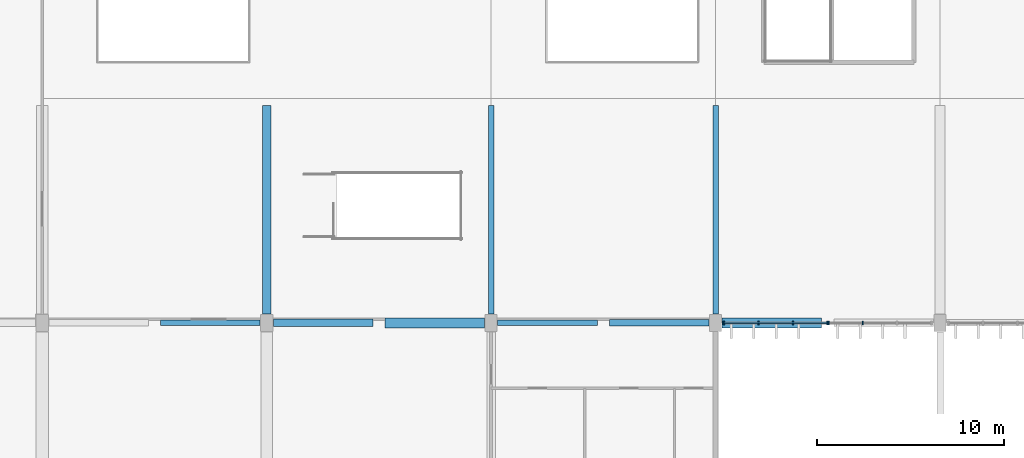
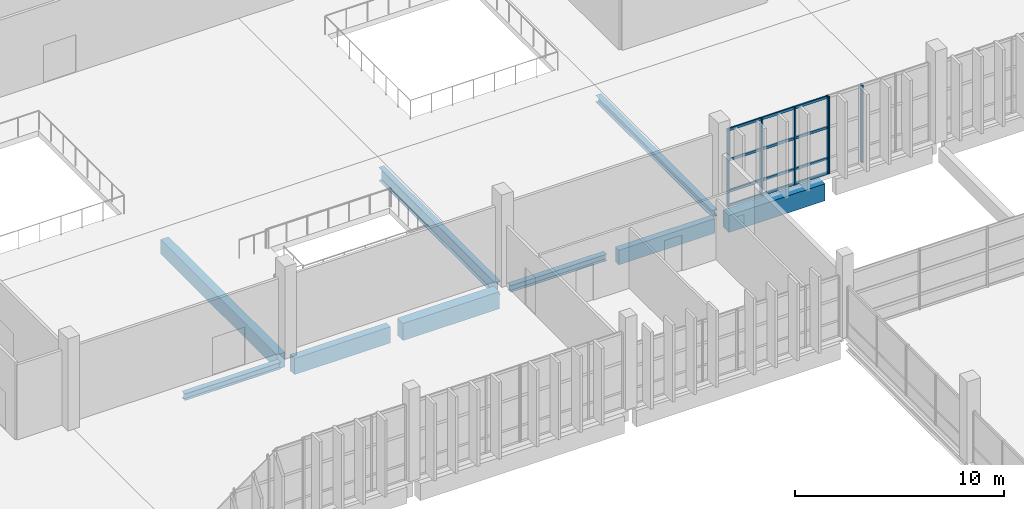
# One storey, part 47 of 112: 10 members, 9 beams, 2 elements without a shape of their own.
"""IFC4 building model written with IfcOpenShell, lengths in metres."""

from ifc_helpers import new_model, si_unit, direction, frame, origin, origin_2d, place, context, subcontext, project, spatial, rectangle, i_section, extrude, material, material_profile, profile_set, type_object, element, aggregate, save


model = new_model("IFC4")

# Units and contexts
model_context = context("Model", 3, precision=1e-05, world=origin(), true_north=direction((0.0, 1.0)))
body_context = subcontext(model_context, "Body", "Model", "MODEL_VIEW")
ifc_project = project(units=[si_unit("LENGTHUNIT", "METRE"), si_unit("AREAUNIT", "SQUARE_METRE"), si_unit("VOLUMEUNIT", "CUBIC_METRE"), si_unit("PLANEANGLEUNIT", "RADIAN"), si_unit("MASSUNIT", "GRAM", prefix="KILO")], contexts=[model_context])

# Site, building, storey
site_placement = place(None, origin())
site = spatial("IfcSite", under=ifc_project, at=site_placement, CompositionType="ELEMENT")
building_placement = place(site_placement, origin())
building = spatial("IfcBuilding", under=site, at=building_placement, Name="Kamomehara Wholesale Market", CompositionType="ELEMENT")
storey_placement = place(building_placement, frame((0.0, 0.0, 6.60009765625)))
storey = spatial("IfcBuildingStorey", under=building, at=storey_placement, Name="L01", CompositionType="ELEMENT", Elevation=6.60009765625)

# Beams
ifc_material_1 = material(Name="Precast concrete Fc45 (C40/50)", Category="concrete")
ifc_material_profile_1 = material_profile(ifc_material_1, rectangle(XDim=0.449951171875, YDim=0.85009765625, at=origin_2d()), Name="PC-GRD-450x850")
ifc_profile_set_1 = profile_set([ifc_material_profile_1], Name="Precast concrete Fc45 (C40/50)")
beam_type_1 = type_object("IfcBeamType", Name="BM-PG850", PredefinedType="T_BEAM", material=ifc_profile_set_1)
beam_1_placement = place(storey_placement, frame((132.0, 108.47509765625, -0.76708984375), z_axis=(0.0, 1.0, 0.0), x_axis=(-1.0, 0.0, 0.0)))
element("IfcBeam", 1, at=beam_1_placement, inside=storey, type_object=beam_type_1, Name="Beam PG-11 L01", PredefinedType="T_BEAM", context=body_context, shape_type="SweptSolid", body=[
    extrude(rectangle(XDim=0.449951171875, YDim=0.85009765625, at=origin_2d()), origin(), (0.0, 0.0, 1.0), 11.14990234375),
])
ifc_material_2 = material(Name="Concrete Fc36 (C35/45)", Category="concrete")
ifc_material_profile_2 = material_profile(ifc_material_2, rectangle(XDim=0.550048828125, YDim=1.0, at=origin_2d()), Name="RC-SEB-550x1000")
ifc_profile_set_2 = profile_set([ifc_material_profile_2], Name="Concrete Fc36 (C35/45)")
beam_type_2 = type_object("IfcBeamType", Name="BM-SEB1000-EXT", PredefinedType="SPANDREL", material=ifc_profile_set_2)
for number, where, z_axis, x_axis, name in (
    (2, (138.324951171875, 108.0, -0.842041015625), (1.0, 0.0, 0.0), (0.0, 1.0, 0.0), "Beam SEB-03E L01"),
    (3, (156.35009765625, 108.0, -0.83203125), (1.0, 0.0, 0.0), (0.0, 1.0, 0.0), "Beam SEB-03E L01"),
):
    element("IfcBeam", number, at=place(storey_placement, frame(where, z_axis=z_axis, x_axis=x_axis)), inside=storey, type_object=beam_type_2, Name=name, PredefinedType="SPANDREL", context=body_context, shape_type="SweptSolid", body=[
        extrude(rectangle(XDim=0.550048828125, YDim=1.0, at=origin_2d()), origin(), (0.0, 0.0, 1.0), 5.324951171875),
    ])
ifc_material_3 = material(Name="Precast concrete Fc45 (C40/50)", Category="concrete")
ifc_material_profile_3 = material_profile(ifc_material_3, rectangle(XDim=0.35009765625, YDim=0.85009765625, at=origin_2d()), Name="PC-SPN-350x850")
ifc_profile_set_3 = profile_set([ifc_material_profile_3], Name="Precast concrete Fc45 (C40/50)")
beam_type_3 = type_object("IfcBeamType", Name="BM-SPN850-EXT", PredefinedType="SPANDREL", material=ifc_profile_set_3)
beam_2_placement = place(storey_placement, frame((150.324951171875, 108.0, -0.7470703125), z_axis=(1.0, 0.0, 0.0), x_axis=(0.0, 1.0, 0.0)))
element("IfcBeam", 4, at=beam_2_placement, inside=storey, type_object=beam_type_3, Name="Beam SPN-02E L01", PredefinedType="SPANDREL", context=body_context, shape_type="SweptSolid", body=[
    extrude(rectangle(XDim=0.35009765625, YDim=0.85009765625, at=origin_2d()), origin(), (0.0, 0.0, 1.0), 5.324951171875),
])
ifc_material_4 = material(Name="Precast concrete Fc45 (C40/50)", Category="concrete")
ifc_material_profile_4 = material_profile(ifc_material_4, rectangle(XDim=0.39990234375, YDim=0.949951171875, at=origin_2d()), Name="PC-SPN-400x950")
ifc_profile_set_4 = profile_set([ifc_material_profile_4], Name="Precast concrete Fc45 (C40/50)")
beam_type_4 = type_object("IfcBeamType", Name="BM-SPN950-EXT", PredefinedType="SPANDREL", material=ifc_profile_set_4)
beam_3_placement = place(storey_placement, frame((132.35009765625, 108.0, -0.817138671875), z_axis=(1.0, 0.0, 0.0), x_axis=(0.0, 1.0, 0.0)))
element("IfcBeam", 5, at=beam_3_placement, inside=storey, type_object=beam_type_4, Name="Beam SPN-01E L01", PredefinedType="SPANDREL", context=body_context, shape_type="SweptSolid", body=[
    extrude(rectangle(XDim=0.39990234375, YDim=0.949951171875, at=origin_2d()), origin(), (0.0, 0.0, 1.0), 5.324951171875),
])
ifc_material_5 = material(Name="Steel SN490B", Category="steel")
ifc_material_profile_5 = material_profile(ifc_material_5, i_section(OverallWidth=0.300048828125, OverallDepth=0.389892578125, WebThickness=0.010009765625, FlangeThickness=0.01611328125, FilletRadius=0.01806640625, at=origin_2d()), Name="H-390x300x10x16")
ifc_profile_set_5 = profile_set([ifc_material_profile_5], Name="Steel SN490B")
beam_type_5 = type_object("IfcBeamType", Name="BM-ST-H390-EXT", PredefinedType="SPANDREL", material=ifc_profile_set_5)
for number, where, z_axis, x_axis, name in (
    (6, (126.324951171875, 108.0, -0.537109375), (1.0, 0.0, 0.0), (0.0, 1.0, 0.0), "Beam SJ-03E L01"),
    (7, (144.35009765625, 108.0, -0.51708984375), (1.0, 0.0, 0.0), (0.0, 1.0, 0.0), "Beam SJ-03E L01"),
):
    element("IfcBeam", number, at=place(storey_placement, frame(where, z_axis=z_axis, x_axis=x_axis)), inside=storey, type_object=beam_type_5, Name=name, PredefinedType="SPANDREL", context=body_context, shape_type="SweptSolid", body=[
        extrude(i_section(OverallWidth=0.300048828125, OverallDepth=0.389892578125, WebThickness=0.010009765625, FlangeThickness=0.01611328125, FilletRadius=0.01806640625, at=origin_2d()), origin(), (0.0, 0.0, 1.0), 5.324951171875),
    ])
beam_4_placement = place(storey_placement, frame((156.0, 108.47509765625, -0.527099609375), z_axis=(0.0, 1.0, 0.0), x_axis=(-1.0, 0.0, 0.0)))
element("IfcBeam", 8, at=beam_4_placement, inside=storey, type_object=beam_type_5, Name="Beam SJ-03E L01", PredefinedType="SPANDREL", context=body_context, shape_type="SweptSolid", body=[
    extrude(i_section(OverallWidth=0.300048828125, OverallDepth=0.389892578125, WebThickness=0.010009765625, FlangeThickness=0.01611328125, FilletRadius=0.01806640625, at=origin_2d()), origin(), (0.0, 0.0, 1.0), 11.14990234375),
])
ifc_material_6 = material(Name="Steel SN490B", Category="steel")
ifc_material_profile_6 = material_profile(ifc_material_6, i_section(OverallWidth=0.300048828125, OverallDepth=0.7919921875, WebThickness=0.013916015625, FlangeThickness=0.02197265625, FilletRadius=0.02392578125, at=origin_2d()), Name="H-792x300x14x22")
ifc_profile_set_6 = profile_set([ifc_material_profile_6], Name="Steel SN490B")
beam_type_6 = type_object("IfcBeamType", Name="BM-ST-H792", PredefinedType="BEAM", material=ifc_profile_set_6)
beam_5_placement = place(storey_placement, frame((144.0, 108.47509765625, -0.738037109375), z_axis=(0.0, 1.0, 0.0), x_axis=(-1.0, 0.0, 0.0)))
element("IfcBeam", 9, at=beam_5_placement, inside=storey, type_object=beam_type_6, Name="Beam SG-09 L01", PredefinedType="BEAM", context=body_context, shape_type="SweptSolid", body=[
    extrude(i_section(OverallWidth=0.300048828125, OverallDepth=0.7919921875, WebThickness=0.013916015625, FlangeThickness=0.02197265625, FilletRadius=0.02392578125, at=origin_2d()), origin(), (0.0, 0.0, 1.0), 11.14990234375),
])

# Curtain wall, members
ifc_material_7 = material(Name="Anodised aluminium 6063-T5", Category="aluminium")
curtain_wall_type = type_object("IfcCurtainWallType", Name="CW-UN-02", PredefinedType="NOTDEFINED", material=ifc_material_7)
curtain_wall_1_placement = place(storey_placement, origin())
curtain_wall_1 = element("IfcCurtainWall", 10, at=curtain_wall_1_placement, inside=storey, type_object=curtain_wall_type, Name="Unitised curtain wall CW-091", PredefinedType="NOTDEFINED")
ifc_material_8 = material(Name="Anodised aluminium 6063-T5", Category="aluminium")
ifc_material_profile_7 = material_profile(ifc_material_8, rectangle(XDim=0.074951171875, YDim=0.179931640625, at=origin_2d()), Name="ALU-MUL-75x180")
ifc_profile_set_7 = profile_set([ifc_material_profile_7], Name="Anodised aluminium 6063-T5")
member_type_1 = type_object("IfcMemberType", Name="CW-MUL-180", PredefinedType="MULLION", material=ifc_profile_set_7)
member_1_placement = place(storey_placement, frame((163.866943359375, 108.0, 0.0), z_axis=(0.0, 0.0, 1.0), x_axis=(-1.0, 0.0, 0.0)))
member_1 = element("IfcMember", 11, at=member_1_placement, type_object=member_type_1, Name="Mullion CW-091.2", PredefinedType="MULLION", context=body_context, shape_type="SweptSolid", body=[
    extrude(rectangle(XDim=0.074951171875, YDim=0.179931640625, at=origin_2d()), origin(), (0.0, 0.0, 1.0), 4.52978515625),
])
member_2_placement = place(storey_placement, frame((162.030029296875, 108.0, 0.0), z_axis=(0.0, 0.0, 1.0), x_axis=(-1.0, 0.0, 0.0)))
member_2 = element("IfcMember", 12, at=member_2_placement, type_object=member_type_1, Name="Mullion CW-091.3", PredefinedType="MULLION", context=body_context, shape_type="SweptSolid", body=[
    extrude(rectangle(XDim=0.074951171875, YDim=0.179931640625, at=origin_2d()), origin(), (0.0, 0.0, 1.0), 4.52978515625),
])
aggregate(curtain_wall_1, [member_1, member_2])

curtain_wall_2_placement = place(storey_placement, origin())
curtain_wall_2 = element("IfcCurtainWall", 13, at=curtain_wall_2_placement, inside=storey, type_object=curtain_wall_type, Name="Unitised curtain wall CW-092", PredefinedType="NOTDEFINED")
member_3_placement = place(storey_placement, frame((161.969970703125, 108.0, 0.0), z_axis=(0.0, 0.0, 1.0), x_axis=(-1.0, 0.0, 0.0)))
member_3 = element("IfcMember", 14, at=member_3_placement, type_object=member_type_1, Name="Mullion CW-092.0", PredefinedType="MULLION", context=body_context, shape_type="SweptSolid", body=[
    extrude(rectangle(XDim=0.074951171875, YDim=0.179931640625, at=origin_2d()), origin(), (0.0, 0.0, 1.0), 4.52978515625),
])
member_4_placement = place(storey_placement, frame((160.133056640625, 108.0, 0.0), z_axis=(0.0, 0.0, 1.0), x_axis=(-1.0, 0.0, 0.0)))
member_4 = element("IfcMember", 15, at=member_4_placement, type_object=member_type_1, Name="Mullion CW-092.1", PredefinedType="MULLION", context=body_context, shape_type="SweptSolid", body=[
    extrude(rectangle(XDim=0.074951171875, YDim=0.179931640625, at=origin_2d()), origin(), (0.0, 0.0, 1.0), 4.52978515625),
])
member_5_placement = place(storey_placement, frame((158.297119140625, 108.0, 0.0), z_axis=(0.0, 0.0, 1.0), x_axis=(-1.0, 0.0, 0.0)))
member_5 = element("IfcMember", 16, at=member_5_placement, type_object=member_type_1, Name="Mullion CW-092.2", PredefinedType="MULLION", context=body_context, shape_type="SweptSolid", body=[
    extrude(rectangle(XDim=0.074951171875, YDim=0.179931640625, at=origin_2d()), origin(), (0.0, 0.0, 1.0), 4.52978515625),
])
member_6_placement = place(storey_placement, frame((156.4599609375, 108.0, 0.0), z_axis=(0.0, 0.0, 1.0), x_axis=(-1.0, 0.0, 0.0)))
member_6 = element("IfcMember", 17, at=member_6_placement, type_object=member_type_1, Name="Mullion CW-092.3", PredefinedType="MULLION", context=body_context, shape_type="SweptSolid", body=[
    extrude(rectangle(XDim=0.074951171875, YDim=0.179931640625, at=origin_2d()), origin(), (0.0, 0.0, 1.0), 4.52978515625),
])
ifc_material_9 = material(Name="Anodised aluminium 6063-T5", Category="aluminium")
ifc_material_profile_8 = material_profile(ifc_material_9, rectangle(XDim=0.074951171875, YDim=0.14990234375, at=origin_2d()), Name="ALU-TRN-75x150")
ifc_profile_set_8 = profile_set([ifc_material_profile_8], Name="Anodised aluminium 6063-T5")
member_type_2 = type_object("IfcMemberType", Name="CW-TRN-150", PredefinedType="USERDEFINED", material=ifc_profile_set_8)
member_7_placement = place(storey_placement, frame((161.969970703125, 108.0, 0.039794921875), z_axis=(-1.0, 0.0, 0.0), x_axis=(0.0, -1.0, 0.0)))
member_7 = element("IfcMember", 18, at=member_7_placement, type_object=member_type_2, Name="Transom CW-092.0", ObjectType="TRANSOM", PredefinedType="USERDEFINED", context=body_context, shape_type="SweptSolid", body=[
    extrude(rectangle(XDim=0.074951171875, YDim=0.14990234375, at=origin_2d()), origin(), (0.0, 0.0, 1.0), 5.510009765625),
])
member_8_placement = place(storey_placement, frame((161.969970703125, 108.0, 0.89990234375), z_axis=(-1.0, 0.0, 0.0), x_axis=(0.0, -1.0, 0.0)))
member_8 = element("IfcMember", 19, at=member_8_placement, type_object=member_type_2, Name="Transom CW-092.1", ObjectType="TRANSOM", PredefinedType="USERDEFINED", context=body_context, shape_type="SweptSolid", body=[
    extrude(rectangle(XDim=0.074951171875, YDim=0.14990234375, at=origin_2d()), origin(), (0.0, 0.0, 1.0), 5.510009765625),
])
member_9_placement = place(storey_placement, frame((161.969970703125, 108.0, 2.71484375), z_axis=(-1.0, 0.0, 0.0), x_axis=(0.0, -1.0, 0.0)))
member_9 = element("IfcMember", 20, at=member_9_placement, type_object=member_type_2, Name="Transom CW-092.2", ObjectType="TRANSOM", PredefinedType="USERDEFINED", context=body_context, shape_type="SweptSolid", body=[
    extrude(rectangle(XDim=0.074951171875, YDim=0.14990234375, at=origin_2d()), origin(), (0.0, 0.0, 1.0), 5.510009765625),
])
member_10_placement = place(storey_placement, frame((161.969970703125, 108.0, 4.489990234375), z_axis=(-1.0, 0.0, 0.0), x_axis=(0.0, -1.0, 0.0)))
member_10 = element("IfcMember", 21, at=member_10_placement, type_object=member_type_2, Name="Transom CW-092.3", ObjectType="TRANSOM", PredefinedType="USERDEFINED", context=body_context, shape_type="SweptSolid", body=[
    extrude(rectangle(XDim=0.074951171875, YDim=0.14990234375, at=origin_2d()), origin(), (0.0, 0.0, 1.0), 5.510009765625),
])
aggregate(curtain_wall_2, [member_3, member_4, member_5, member_6, member_7, member_8, member_9, member_10])

save(model, "model.ifc")
